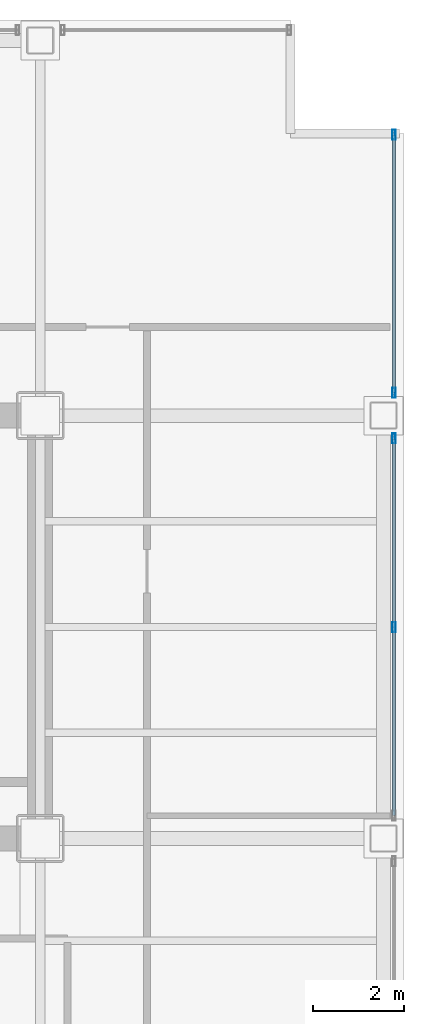
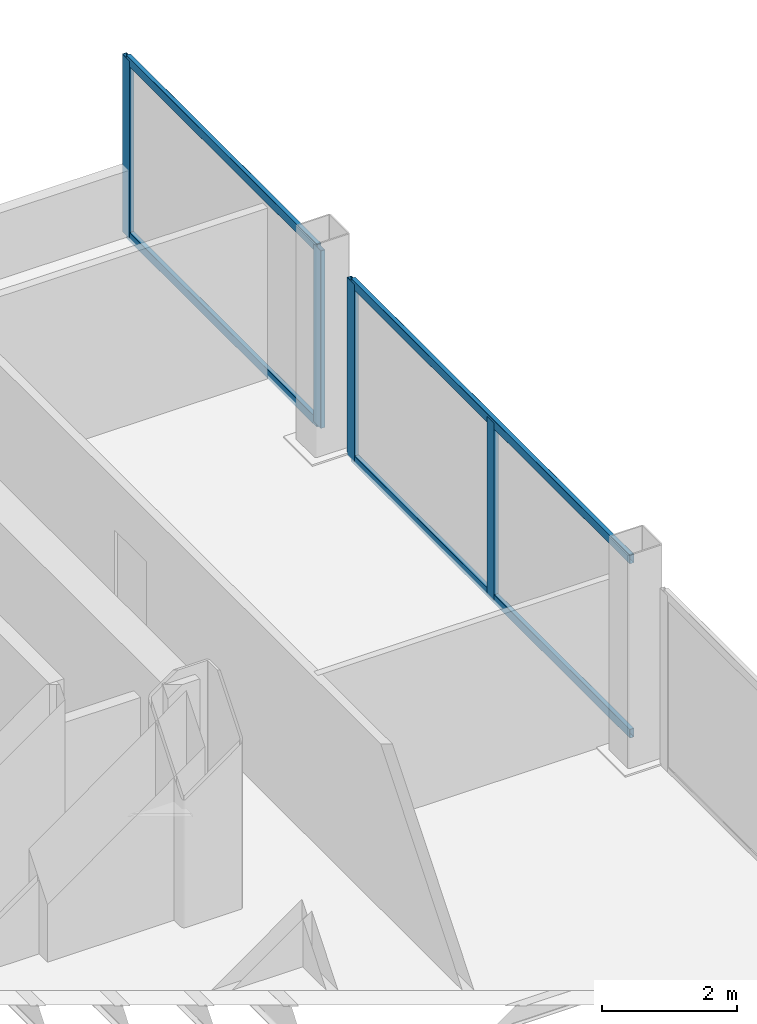
# One storey, part 13 of 21: 8 members, 2 elements without a shape of their own.
"""IFC4 building model written with IfcOpenShell, lengths in metres."""

from ifc_helpers import new_model, si_unit, direction, frame, origin, origin_2d, place, context, subcontext, project, spatial, hollow_rectangle, extrude, material, material_profile, profile_set, type_object, element, aggregate, save


model = new_model("IFC4")

# Units and contexts
model_context = context("Model", 3, precision=1e-05, world=origin(), true_north=direction((0.0, 1.0)))
body_context = subcontext(model_context, "Body", "Model", "MODEL_VIEW")
ifc_project = project(units=[si_unit("LENGTHUNIT", "METRE"), si_unit("AREAUNIT", "SQUARE_METRE"), si_unit("VOLUMEUNIT", "CUBIC_METRE"), si_unit("PLANEANGLEUNIT", "RADIAN"), si_unit("MASSUNIT", "GRAM", prefix="KILO")], contexts=[model_context])

# Site, building, storey
site_placement = place(None, origin())
site = spatial("IfcSite", under=ifc_project, at=site_placement, CompositionType="ELEMENT")
building_placement = place(site_placement, origin())
building = spatial("IfcBuilding", under=site, at=building_placement, Name="Noeulbin Bourse Tower", CompositionType="ELEMENT")
storey_placement = place(building_placement, frame((0.0, 0.0, 38.199951171875)))
storey = spatial("IfcBuildingStorey", under=building, at=storey_placement, Name="L09", CompositionType="ELEMENT", Elevation=38.199951171875)

# Curtain wall, members
ifc_material_1 = material(Name="Dark Solar-Control Double Glazing", Category="glass")
curtain_wall_type = type_object("IfcCurtainWallType", Name="CW-SYS-2", PredefinedType="NOTDEFINED", material=ifc_material_1)
curtain_wall_1_placement = place(storey_placement, origin())
curtain_wall_1 = element("IfcCurtainWall", 1, at=curtain_wall_1_placement, inside=storey, type_object=curtain_wall_type, Name="Unitised Curtain Wall CW-L09-E-S3", PredefinedType="NOTDEFINED")
ifc_material_2 = material(Name="Anodised Aluminium 6063-T6", Category="aluminium")
ifc_material_profile_1 = material_profile(ifc_material_2, hollow_rectangle(XDim=0.074951171875, YDim=0.219970703125, WallThickness=0.0048828125, InnerFilletRadius=0.00244140625, OuterFilletRadius=0.0048828125, at=origin_2d()), Name="ALU-MULL-75x220x5", Category="LoadBearing")
ifc_profile_set_1 = profile_set([ifc_material_profile_1], Name="Anodised Aluminium 6063-T6")
member_type_1 = type_object("IfcMemberType", Name="CW-SYS-2-MUL", PredefinedType="MULLION", material=ifc_profile_set_1)
member_1_placement = place(storey_placement, frame((51.780029296875, 33.64990234375, -0.02001953125), z_axis=(0.0, 0.0, 1.0), x_axis=(1.0, 0.0, 0.0)))
member_1 = element("IfcMember", 2, at=member_1_placement, type_object=member_type_1, Name="Curtain Wall Mullion CW-L09-E-S3-M01", PredefinedType="MULLION", context=body_context, shape_type="SweptSolid", body=[
    extrude(hollow_rectangle(XDim=0.074951171875, YDim=0.219970703125, WallThickness=0.0048828125, InnerFilletRadius=0.00244140625, OuterFilletRadius=0.0048828125, at=origin_2d()), origin(), (0.0, 0.0, 1.0), 3.219970703125),
])
member_2_placement = place(storey_placement, frame((51.780029296875, 37.800048828125, -0.02001953125), z_axis=(0.0, 0.0, 1.0), x_axis=(1.0, 0.0, 0.0)))
member_2 = element("IfcMember", 3, at=member_2_placement, type_object=member_type_1, Name="Curtain Wall Mullion CW-L09-E-S3-M02", PredefinedType="MULLION", context=body_context, shape_type="SweptSolid", body=[
    extrude(hollow_rectangle(XDim=0.074951171875, YDim=0.219970703125, WallThickness=0.0048828125, InnerFilletRadius=0.00244140625, OuterFilletRadius=0.0048828125, at=origin_2d()), origin(), (0.0, 0.0, 1.0), 3.219970703125),
])

curtain_wall_2_placement = place(storey_placement, origin())
curtain_wall_2 = element("IfcCurtainWall", 4, at=curtain_wall_2_placement, inside=storey, type_object=curtain_wall_type, Name="Unitised Curtain Wall CW-L09-E-S4", PredefinedType="NOTDEFINED")
member_3_placement = place(storey_placement, frame((51.780029296875, 38.800048828125, -0.02001953125), z_axis=(0.0, 0.0, 1.0), x_axis=(1.0, 0.0, 0.0)))
member_3 = element("IfcMember", 5, at=member_3_placement, type_object=member_type_1, Name="Curtain Wall Mullion CW-L09-E-S4-M00", PredefinedType="MULLION", context=body_context, shape_type="SweptSolid", body=[
    extrude(hollow_rectangle(XDim=0.074951171875, YDim=0.219970703125, WallThickness=0.0048828125, InnerFilletRadius=0.00244140625, OuterFilletRadius=0.0048828125, at=origin_2d()), origin(), (0.0, 0.0, 1.0), 3.219970703125),
])
member_4_placement = place(storey_placement, frame((51.780029296875, 44.47998046875, -0.02001953125), z_axis=(0.0, 0.0, 1.0), x_axis=(1.0, 0.0, 0.0)))
member_4 = element("IfcMember", 6, at=member_4_placement, type_object=member_type_1, Name="Curtain Wall Mullion CW-L09-E-S4-M01", PredefinedType="MULLION", context=body_context, shape_type="SweptSolid", body=[
    extrude(hollow_rectangle(XDim=0.074951171875, YDim=0.219970703125, WallThickness=0.0048828125, InnerFilletRadius=0.00244140625, OuterFilletRadius=0.0048828125, at=origin_2d()), origin(), (0.0, 0.0, 1.0), 3.219970703125),
])

# Member
ifc_material_profile_2 = material_profile(ifc_material_2, hollow_rectangle(XDim=0.074951171875, YDim=0.159912109375, WallThickness=0.0048828125, InnerFilletRadius=0.00244140625, OuterFilletRadius=0.0048828125, at=origin_2d()), Name="ALU-TRAN-75x160x5", Category="LoadBearing")
ifc_profile_set_2 = profile_set([ifc_material_profile_2], Name="Anodised Aluminium 6063-T6")
member_type_2 = type_object("IfcMemberType", Name="CW-SYS-2-TRN", PredefinedType="USERDEFINED", material=ifc_profile_set_2)
member_5_placement = place(storey_placement, frame((51.780029296875, 29.510009765625, 0.010009765625), z_axis=(0.0, 1.0, 0.0), x_axis=(-1.0, 0.0, 0.0)))
member_5 = element("IfcMember", 7, at=member_5_placement, type_object=member_type_2, Name="Curtain Wall Transom CW-L09-E-S3-T00", ObjectType="TRANSOM", PredefinedType="USERDEFINED", context=body_context, shape_type="SweptSolid", body=[
    extrude(hollow_rectangle(XDim=0.074951171875, YDim=0.159912109375, WallThickness=0.0048828125, InnerFilletRadius=0.00244140625, OuterFilletRadius=0.0048828125, at=origin_2d()), origin(), (0.0, 0.0, 1.0), 8.280029296875),
])

member_6_placement = place(storey_placement, frame((51.780029296875, 29.510009765625, 3.170166015625), z_axis=(0.0, 1.0, 0.0), x_axis=(-1.0, 0.0, 0.0)))
member_6 = element("IfcMember", 8, at=member_6_placement, type_object=member_type_2, Name="Curtain Wall Transom CW-L09-E-S3-T01", ObjectType="TRANSOM", PredefinedType="USERDEFINED", context=body_context, shape_type="SweptSolid", body=[
    extrude(hollow_rectangle(XDim=0.074951171875, YDim=0.159912109375, WallThickness=0.0048828125, InnerFilletRadius=0.00244140625, OuterFilletRadius=0.0048828125, at=origin_2d()), origin(), (0.0, 0.0, 1.0), 8.280029296875),
])

aggregate(curtain_wall_1, [member_1, member_2, member_5, member_6])

member_7_placement = place(storey_placement, frame((51.780029296875, 38.81005859375, 0.010009765625), z_axis=(0.0, 1.0, 0.0), x_axis=(-1.0, 0.0, 0.0)))
member_7 = element("IfcMember", 9, at=member_7_placement, type_object=member_type_2, Name="Curtain Wall Transom CW-L09-E-S4-T00", ObjectType="TRANSOM", PredefinedType="USERDEFINED", context=body_context, shape_type="SweptSolid", body=[
    extrude(hollow_rectangle(XDim=0.074951171875, YDim=0.159912109375, WallThickness=0.0048828125, InnerFilletRadius=0.00244140625, OuterFilletRadius=0.0048828125, at=origin_2d()), origin(), (0.0, 0.0, 1.0), 5.659912109375),
])

member_8_placement = place(storey_placement, frame((51.780029296875, 38.81005859375, 3.170166015625), z_axis=(0.0, 1.0, 0.0), x_axis=(-1.0, 0.0, 0.0)))
member_8 = element("IfcMember", 10, at=member_8_placement, type_object=member_type_2, Name="Curtain Wall Transom CW-L09-E-S4-T01", ObjectType="TRANSOM", PredefinedType="USERDEFINED", context=body_context, shape_type="SweptSolid", body=[
    extrude(hollow_rectangle(XDim=0.074951171875, YDim=0.159912109375, WallThickness=0.0048828125, InnerFilletRadius=0.00244140625, OuterFilletRadius=0.0048828125, at=origin_2d()), origin(), (0.0, 0.0, 1.0), 5.659912109375),
])

aggregate(curtain_wall_2, [member_3, member_4, member_7, member_8])

save(model, "model.ifc")
